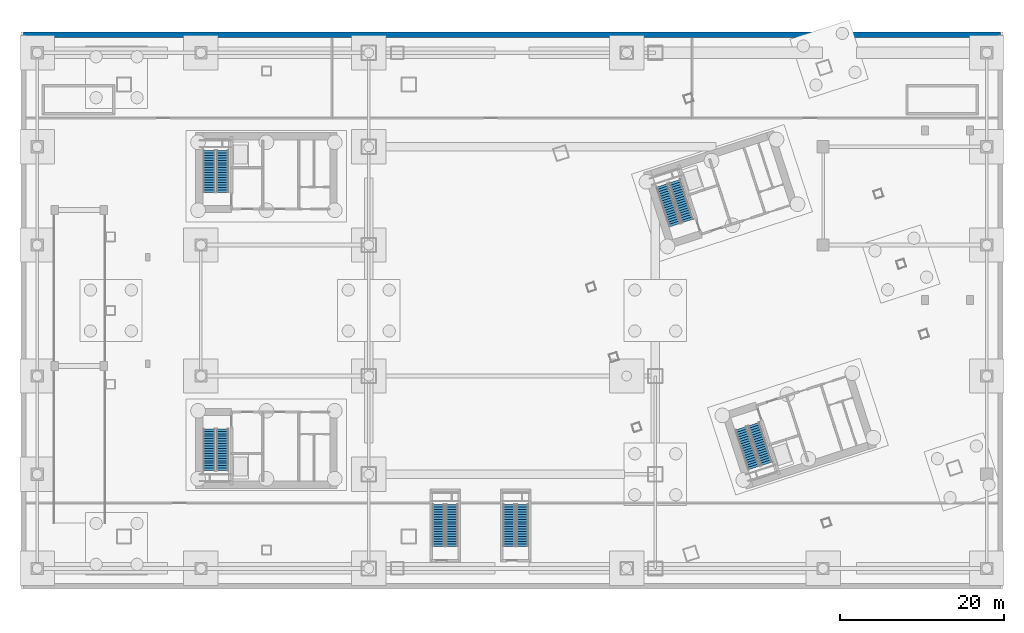
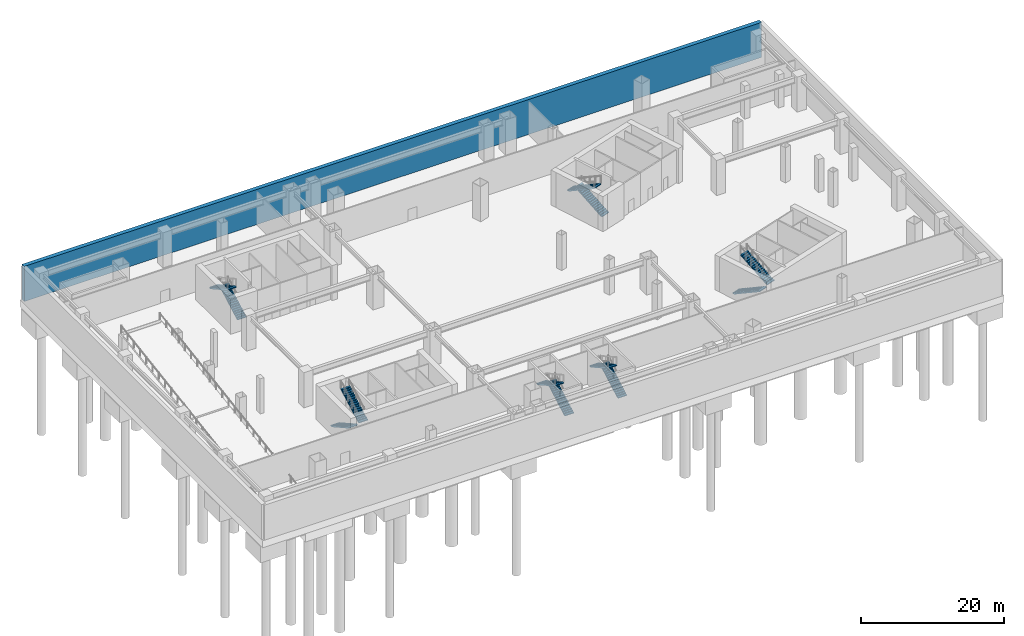
# One storey, part 13 of 20: 12 stair flights, 1 wall, 6 elements without a shape of their own.
"""IFC4 building model written with IfcOpenShell, lengths in metres."""

from ifc_helpers import new_model, si_unit, direction, frame, frame_2d, origin, place, context, subcontext, project, spatial, polyline, rectangle, outline, extrude, material, layer, layer_set, type_object, element, aggregate, save


model = new_model("IFC4")

# Units and contexts
model_context = context("Model", 3, precision=1e-05, world=origin(), true_north=direction((0.0, 1.0)))
body_context = subcontext(model_context, "Body", "Model", "MODEL_VIEW")
ifc_project = project(units=[si_unit("LENGTHUNIT", "METRE"), si_unit("AREAUNIT", "SQUARE_METRE"), si_unit("VOLUMEUNIT", "CUBIC_METRE"), si_unit("PLANEANGLEUNIT", "RADIAN"), si_unit("MASSUNIT", "GRAM", prefix="KILO")], contexts=[model_context])

# Site, building, storey
site_placement = place(None, origin())
site = spatial("IfcSite", under=ifc_project, at=site_placement, CompositionType="ELEMENT")
building_placement = place(site_placement, origin())
building = spatial("IfcBuilding", under=site, at=building_placement, Name="Qiaolan Cultural Towers", CompositionType="ELEMENT")
storey_placement = place(building_placement, frame((0.0, 0.0, -12.0)))
storey = spatial("IfcBuildingStorey", under=building, at=storey_placement, Name="B2", CompositionType="ELEMENT", Elevation=-12.0)

# Wall
ifc_material_1 = material(Name="Concrete C50", Category="concrete")
ifc_layer = layer(ifc_material_1, 0.64990234375)
ifc_layer_set = layer_set([ifc_layer], Name="Concrete C50")
wall_type = type_object("IfcWallType", Name="WL-RET-650", PredefinedType="SHEAR", material=ifc_layer_set)
wall_placement = place(storey_placement, frame((0.324951171875, 67.675048828125, 0.0), z_axis=(0.0, 0.0, 1.0), x_axis=(1.0, 0.0, 0.0)))
element("IfcWall", 1, at=wall_placement, inside=storey, type_object=wall_type, Name="B2 Basement Retaining Wall NORTH", PredefinedType="SHEAR", context=body_context, shape_type="SweptSolid", body=[
    extrude(rectangle(XDim=119.35009765625, YDim=0.64990234375, at=frame_2d((59.675048828125, 0.0))), origin(), (0.0, 0.0, 1.0), 6.0),
])

# Stair, stair flights
ifc_material_2 = material(Name="Concrete C45", Category="concrete")
stair_type_1 = type_object("IfcStairType", Name="STR-CORE-1500", PredefinedType="HALF_TURN_STAIR", material=ifc_material_2)
stair_1_placement = place(storey_placement, origin())
stair_1 = element("IfcStair", 2, at=stair_1_placement, inside=storey, type_object=stair_type_1, Name="B2 Smokeproof Exit Stair ST-W1", PredefinedType="HALF_TURN_STAIR")
ifc_material_3 = material(Name="Concrete C45", Category="concrete")
stair_flight_type_1 = type_object("IfcStairFlightType", Name="STR-CORE-1500-FL", PredefinedType="STRAIGHT", material=ifc_material_3)
stair_flight_1_placement = place(storey_placement, frame((23.02001953125, 19.550048828125, 0.0), z_axis=(0.0, 0.0, 1.0), x_axis=(0.0, -1.0, 0.0)))
stair_flight_1 = element("IfcStairFlight", 3, at=stair_flight_1_placement, type_object=stair_flight_type_1, Name="ST-W1 flight 1", NumberOfRisers=18, NumberOfTreads=17, PredefinedType="STRAIGHT", RiserHeight=0.166666667, TreadLength=0.3, context=body_context, shape_type="SweptSolid", body=[
    extrude(outline(polyline([(0.0, 0.0), (0.0, 0.166748046875), (0.300048828125, 0.166748046875), (0.300048828125, 0.333251953125), (0.60009765625, 0.333251953125), (0.60009765625, 0.5), (0.89990234375, 0.5), (0.89990234375, 0.666748046875), (1.199951171875, 0.666748046875), (1.199951171875, 0.833251953125), (1.5, 0.833251953125), (1.5, 1.0), (1.800048828125, 1.0), (1.800048828125, 1.166748046875), (2.10009765625, 1.166748046875), (2.10009765625, 1.333251953125), (2.39990234375, 1.333251953125), (2.39990234375, 1.5), (2.699951171875, 1.5), (2.699951171875, 1.666748046875), (3.0, 1.666748046875), (3.0, 1.833251953125), (3.300048828125, 1.833251953125), (3.300048828125, 2.0), (3.60009765625, 2.0), (3.60009765625, 2.166748046875), (3.89990234375, 2.166748046875), (3.89990234375, 2.333251953125), (4.199951171875, 2.333251953125), (4.199951171875, 2.5), (4.5, 2.5), (4.5, 2.666748046875), (4.800048828125, 2.666748046875), (4.800048828125, 2.833251953125), (5.10009765625, 2.833251953125), (5.10009765625, 3.0), (5.10009765625, 2.661865234375), (0.30859375, 0.0), (0.0, 0.0)])), frame((0.0, 0.719970703125, 0.0), z_axis=(0.0, -1.0, 0.0), x_axis=(1.0, 0.0, 0.0)), (0.0, 0.0, 1.0), 1.43994140625),
])
stair_flight_2_placement = place(storey_placement, frame((24.659912109375, 14.449951171875, 3.0), z_axis=(0.0, 0.0, 1.0), x_axis=(0.0, 1.0, 0.0)))
stair_flight_2 = element("IfcStairFlight", 4, at=stair_flight_2_placement, type_object=stair_flight_type_1, Name="ST-W1 flight 2", NumberOfRisers=18, NumberOfTreads=17, PredefinedType="STRAIGHT", RiserHeight=0.166666667, TreadLength=0.3, context=body_context, shape_type="SweptSolid", body=[
    extrude(outline(polyline([(0.0, 0.0), (0.0, 0.166748046875), (0.300048828125, 0.166748046875), (0.300048828125, 0.333251953125), (0.60009765625, 0.333251953125), (0.60009765625, 0.5), (0.89990234375, 0.5), (0.89990234375, 0.666748046875), (1.199951171875, 0.666748046875), (1.199951171875, 0.833251953125), (1.5, 0.833251953125), (1.5, 1.0), (1.800048828125, 1.0), (1.800048828125, 1.166748046875), (2.10009765625, 1.166748046875), (2.10009765625, 1.333251953125), (2.39990234375, 1.333251953125), (2.39990234375, 1.5), (2.699951171875, 1.5), (2.699951171875, 1.666748046875), (3.0, 1.666748046875), (3.0, 1.833251953125), (3.300048828125, 1.833251953125), (3.300048828125, 2.0), (3.60009765625, 2.0), (3.60009765625, 2.166748046875), (3.89990234375, 2.166748046875), (3.89990234375, 2.333251953125), (4.199951171875, 2.333251953125), (4.199951171875, 2.5), (4.5, 2.5), (4.5, 2.666748046875), (4.800048828125, 2.666748046875), (4.800048828125, 2.833251953125), (5.10009765625, 2.833251953125), (5.10009765625, 3.0), (5.10009765625, 2.661865234375), (0.30859375, 0.0), (0.0, 0.0)])), frame((0.0, 0.719970703125, 0.0), z_axis=(0.0, -1.0, 0.0), x_axis=(1.0, 0.0, 0.0)), (0.0, 0.0, 1.0), 1.43994140625),
])
aggregate(stair_1, [stair_flight_1, stair_flight_2])

stair_2_placement = place(storey_placement, origin())
stair_2 = element("IfcStair", 5, at=stair_2_placement, inside=storey, type_object=stair_type_1, Name="B2 Smokeproof Exit Stair ST-W2", PredefinedType="HALF_TURN_STAIR")
stair_flight_3_placement = place(storey_placement, frame((24.659912109375, 48.449951171875, 0.0), z_axis=(0.0, 0.0, 1.0), x_axis=(0.0, 1.0, 0.0)))
stair_flight_3 = element("IfcStairFlight", 6, at=stair_flight_3_placement, type_object=stair_flight_type_1, Name="ST-W2 flight 1", NumberOfRisers=18, NumberOfTreads=17, PredefinedType="STRAIGHT", RiserHeight=0.166666667, TreadLength=0.3, context=body_context, shape_type="SweptSolid", body=[
    extrude(outline(polyline([(0.0, 0.0), (0.0, 0.166748046875), (0.300048828125, 0.166748046875), (0.300048828125, 0.333251953125), (0.60009765625, 0.333251953125), (0.60009765625, 0.5), (0.89990234375, 0.5), (0.89990234375, 0.666748046875), (1.199951171875, 0.666748046875), (1.199951171875, 0.833251953125), (1.5, 0.833251953125), (1.5, 1.0), (1.800048828125, 1.0), (1.800048828125, 1.166748046875), (2.10009765625, 1.166748046875), (2.10009765625, 1.333251953125), (2.39990234375, 1.333251953125), (2.39990234375, 1.5), (2.699951171875, 1.5), (2.699951171875, 1.666748046875), (3.0, 1.666748046875), (3.0, 1.833251953125), (3.300048828125, 1.833251953125), (3.300048828125, 2.0), (3.60009765625, 2.0), (3.60009765625, 2.166748046875), (3.89990234375, 2.166748046875), (3.89990234375, 2.333251953125), (4.199951171875, 2.333251953125), (4.199951171875, 2.5), (4.5, 2.5), (4.5, 2.666748046875), (4.800048828125, 2.666748046875), (4.800048828125, 2.833251953125), (5.10009765625, 2.833251953125), (5.10009765625, 3.0), (5.10009765625, 2.661865234375), (0.30859375, 0.0), (0.0, 0.0)])), frame((0.0, 0.719970703125, 0.0), z_axis=(0.0, -1.0, 0.0), x_axis=(1.0, 0.0, 0.0)), (0.0, 0.0, 1.0), 1.43994140625),
])
stair_flight_4_placement = place(storey_placement, frame((23.02001953125, 53.550048828125, 3.0), z_axis=(0.0, 0.0, 1.0), x_axis=(0.0, -1.0, 0.0)))
stair_flight_4 = element("IfcStairFlight", 7, at=stair_flight_4_placement, type_object=stair_flight_type_1, Name="ST-W2 flight 2", NumberOfRisers=18, NumberOfTreads=17, PredefinedType="STRAIGHT", RiserHeight=0.166666667, TreadLength=0.3, context=body_context, shape_type="SweptSolid", body=[
    extrude(outline(polyline([(0.0, 0.0), (0.0, 0.166748046875), (0.300048828125, 0.166748046875), (0.300048828125, 0.333251953125), (0.60009765625, 0.333251953125), (0.60009765625, 0.5), (0.89990234375, 0.5), (0.89990234375, 0.666748046875), (1.199951171875, 0.666748046875), (1.199951171875, 0.833251953125), (1.5, 0.833251953125), (1.5, 1.0), (1.800048828125, 1.0), (1.800048828125, 1.166748046875), (2.10009765625, 1.166748046875), (2.10009765625, 1.333251953125), (2.39990234375, 1.333251953125), (2.39990234375, 1.5), (2.699951171875, 1.5), (2.699951171875, 1.666748046875), (3.0, 1.666748046875), (3.0, 1.833251953125), (3.300048828125, 1.833251953125), (3.300048828125, 2.0), (3.60009765625, 2.0), (3.60009765625, 2.166748046875), (3.89990234375, 2.166748046875), (3.89990234375, 2.333251953125), (4.199951171875, 2.333251953125), (4.199951171875, 2.5), (4.5, 2.5), (4.5, 2.666748046875), (4.800048828125, 2.666748046875), (4.800048828125, 2.833251953125), (5.10009765625, 2.833251953125), (5.10009765625, 3.0), (5.10009765625, 2.661865234375), (0.30859375, 0.0), (0.0, 0.0)])), frame((0.0, 0.719970703125, 0.0), z_axis=(0.0, -1.0, 0.0), x_axis=(1.0, 0.0, 0.0)), (0.0, 0.0, 1.0), 1.43994140625),
])
aggregate(stair_2, [stair_flight_3, stair_flight_4])

stair_3_placement = place(storey_placement, origin())
stair_3 = element("IfcStair", 8, at=stair_3_placement, inside=storey, type_object=stair_type_1, Name="B2 Smokeproof Exit Stair ST-E1", PredefinedType="HALF_TURN_STAIR")
stair_flight_5_placement = place(storey_placement, frame((87.96484375, 19.6171875, 0.0), z_axis=(0.0, 0.0, 1.0), x_axis=(0.309016994375, -0.951056516295, 0.0)))
stair_flight_5 = element("IfcStairFlight", 9, at=stair_flight_5_placement, type_object=stair_flight_type_1, Name="ST-E1 flight 1", NumberOfRisers=18, NumberOfTreads=17, PredefinedType="STRAIGHT", RiserHeight=0.166666667, TreadLength=0.3, context=body_context, shape_type="SweptSolid", body=[
    extrude(outline(polyline([(0.0, 0.0), (0.0, 0.166748046875), (0.300048828125, 0.166748046875), (0.300048828125, 0.333251953125), (0.60009765625, 0.333251953125), (0.60009765625, 0.5), (0.89990234375, 0.5), (0.89990234375, 0.666748046875), (1.199951171875, 0.666748046875), (1.199951171875, 0.833251953125), (1.5, 0.833251953125), (1.5, 1.0), (1.800048828125, 1.0), (1.800048828125, 1.166748046875), (2.10009765625, 1.166748046875), (2.10009765625, 1.333251953125), (2.39990234375, 1.333251953125), (2.39990234375, 1.5), (2.699951171875, 1.5), (2.699951171875, 1.666748046875), (3.0, 1.666748046875), (3.0, 1.833251953125), (3.300048828125, 1.833251953125), (3.300048828125, 2.0), (3.60009765625, 2.0), (3.60009765625, 2.166748046875), (3.89990234375, 2.166748046875), (3.89990234375, 2.333251953125), (4.199951171875, 2.333251953125), (4.199951171875, 2.5), (4.5, 2.5), (4.5, 2.666748046875), (4.800048828125, 2.666748046875), (4.800048828125, 2.833251953125), (5.10009765625, 2.833251953125), (5.10009765625, 3.0), (5.10009765625, 2.661865234375), (0.30859375, 0.0), (0.0, 0.0)])), frame((0.0, 0.719970703125, 0.0), z_axis=(0.0, -1.0, 0.0), x_axis=(1.0, 0.0, 0.0)), (0.0, 0.0, 1.0), 1.43994140625),
])
stair_flight_6_placement = place(storey_placement, frame((91.1005859375, 15.273681640625, 3.0), z_axis=(0.0, 0.0, 1.0), x_axis=(-0.309016994375, 0.951056516295, 0.0)))
stair_flight_6 = element("IfcStairFlight", 10, at=stair_flight_6_placement, type_object=stair_flight_type_1, Name="ST-E1 flight 2", NumberOfRisers=18, NumberOfTreads=17, PredefinedType="STRAIGHT", RiserHeight=0.166666667, TreadLength=0.3, context=body_context, shape_type="SweptSolid", body=[
    extrude(outline(polyline([(0.0, 0.0), (0.0, 0.166748046875), (0.300048828125, 0.166748046875), (0.300048828125, 0.333251953125), (0.60009765625, 0.333251953125), (0.60009765625, 0.5), (0.89990234375, 0.5), (0.89990234375, 0.666748046875), (1.199951171875, 0.666748046875), (1.199951171875, 0.833251953125), (1.5, 0.833251953125), (1.5, 1.0), (1.800048828125, 1.0), (1.800048828125, 1.166748046875), (2.10009765625, 1.166748046875), (2.10009765625, 1.333251953125), (2.39990234375, 1.333251953125), (2.39990234375, 1.5), (2.699951171875, 1.5), (2.699951171875, 1.666748046875), (3.0, 1.666748046875), (3.0, 1.833251953125), (3.300048828125, 1.833251953125), (3.300048828125, 2.0), (3.60009765625, 2.0), (3.60009765625, 2.166748046875), (3.89990234375, 2.166748046875), (3.89990234375, 2.333251953125), (4.199951171875, 2.333251953125), (4.199951171875, 2.5), (4.5, 2.5), (4.5, 2.666748046875), (4.800048828125, 2.666748046875), (4.800048828125, 2.833251953125), (5.10009765625, 2.833251953125), (5.10009765625, 3.0), (5.10009765625, 2.661865234375), (0.30859375, 0.0), (0.0, 0.0)])), frame((0.0, 0.719970703125, 0.0), z_axis=(0.0, -1.0, 0.0), x_axis=(1.0, 0.0, 0.0)), (0.0, 0.0, 1.0), 1.43994140625),
])
aggregate(stair_3, [stair_flight_5, stair_flight_6])

stair_4_placement = place(storey_placement, origin())
stair_4 = element("IfcStair", 11, at=stair_4_placement, inside=storey, type_object=stair_type_1, Name="B2 Smokeproof Exit Stair ST-E2", PredefinedType="HALF_TURN_STAIR")
stair_flight_7_placement = place(storey_placement, frame((81.459228515625, 44.946533203125, 0.0), z_axis=(0.0, 0.0, 1.0), x_axis=(-0.309016994375, 0.951056516295, 0.0)))
stair_flight_7 = element("IfcStairFlight", 12, at=stair_flight_7_placement, type_object=stair_flight_type_1, Name="ST-E2 flight 1", NumberOfRisers=18, NumberOfTreads=17, PredefinedType="STRAIGHT", RiserHeight=0.166666667, TreadLength=0.3, context=body_context, shape_type="SweptSolid", body=[
    extrude(outline(polyline([(0.0, 0.0), (0.0, 0.166748046875), (0.300048828125, 0.166748046875), (0.300048828125, 0.333251953125), (0.60009765625, 0.333251953125), (0.60009765625, 0.5), (0.89990234375, 0.5), (0.89990234375, 0.666748046875), (1.199951171875, 0.666748046875), (1.199951171875, 0.833251953125), (1.5, 0.833251953125), (1.5, 1.0), (1.800048828125, 1.0), (1.800048828125, 1.166748046875), (2.10009765625, 1.166748046875), (2.10009765625, 1.333251953125), (2.39990234375, 1.333251953125), (2.39990234375, 1.5), (2.699951171875, 1.5), (2.699951171875, 1.666748046875), (3.0, 1.666748046875), (3.0, 1.833251953125), (3.300048828125, 1.833251953125), (3.300048828125, 2.0), (3.60009765625, 2.0), (3.60009765625, 2.166748046875), (3.89990234375, 2.166748046875), (3.89990234375, 2.333251953125), (4.199951171875, 2.333251953125), (4.199951171875, 2.5), (4.5, 2.5), (4.5, 2.666748046875), (4.800048828125, 2.666748046875), (4.800048828125, 2.833251953125), (5.10009765625, 2.833251953125), (5.10009765625, 3.0), (5.10009765625, 2.661865234375), (0.30859375, 0.0), (0.0, 0.0)])), frame((0.0, 0.719970703125, 0.0), z_axis=(0.0, -1.0, 0.0), x_axis=(1.0, 0.0, 0.0)), (0.0, 0.0, 1.0), 1.43994140625),
])
stair_flight_8_placement = place(storey_placement, frame((78.323486328125, 49.2900390625, 3.0), z_axis=(0.0, 0.0, 1.0), x_axis=(0.309016994375, -0.951056516295, 0.0)))
stair_flight_8 = element("IfcStairFlight", 13, at=stair_flight_8_placement, type_object=stair_flight_type_1, Name="ST-E2 flight 2", NumberOfRisers=18, NumberOfTreads=17, PredefinedType="STRAIGHT", RiserHeight=0.166666667, TreadLength=0.3, context=body_context, shape_type="SweptSolid", body=[
    extrude(outline(polyline([(0.0, 0.0), (0.0, 0.166748046875), (0.300048828125, 0.166748046875), (0.300048828125, 0.333251953125), (0.60009765625, 0.333251953125), (0.60009765625, 0.5), (0.89990234375, 0.5), (0.89990234375, 0.666748046875), (1.199951171875, 0.666748046875), (1.199951171875, 0.833251953125), (1.5, 0.833251953125), (1.5, 1.0), (1.800048828125, 1.0), (1.800048828125, 1.166748046875), (2.10009765625, 1.166748046875), (2.10009765625, 1.333251953125), (2.39990234375, 1.333251953125), (2.39990234375, 1.5), (2.699951171875, 1.5), (2.699951171875, 1.666748046875), (3.0, 1.666748046875), (3.0, 1.833251953125), (3.300048828125, 1.833251953125), (3.300048828125, 2.0), (3.60009765625, 2.0), (3.60009765625, 2.166748046875), (3.89990234375, 2.166748046875), (3.89990234375, 2.333251953125), (4.199951171875, 2.333251953125), (4.199951171875, 2.5), (4.5, 2.5), (4.5, 2.666748046875), (4.800048828125, 2.666748046875), (4.800048828125, 2.833251953125), (5.10009765625, 2.833251953125), (5.10009765625, 3.0), (5.10009765625, 2.661865234375), (0.30859375, 0.0), (0.0, 0.0)])), frame((0.0, 0.719970703125, 0.0), z_axis=(0.0, -1.0, 0.0), x_axis=(1.0, 0.0, 0.0)), (0.0, 0.0, 1.0), 1.43994140625),
])
aggregate(stair_4, [stair_flight_7, stair_flight_8])

ifc_material_4 = material(Name="Concrete C45", Category="concrete")
stair_type_2 = type_object("IfcStairType", Name="STR-MET-1800", PredefinedType="HALF_TURN_STAIR", material=ifc_material_4)
stair_5_placement = place(storey_placement, origin())
stair_5 = element("IfcStair", 14, at=stair_5_placement, inside=storey, type_object=stair_type_2, Name="B2 Metro Concourse West Exit Stair ST-M1", PredefinedType="HALF_TURN_STAIR")
ifc_material_5 = material(Name="Concrete C45", Category="concrete")
stair_flight_type_2 = type_object("IfcStairFlightType", Name="STR-MET-1800-FL", PredefinedType="STRAIGHT", material=ifc_material_5)
stair_flight_9_placement = place(storey_placement, frame((52.675048828125, 5.199951171875, 0.0), z_axis=(0.0, 0.0, 1.0), x_axis=(0.0, 1.0, 0.0)))
stair_flight_9 = element("IfcStairFlight", 15, at=stair_flight_9_placement, type_object=stair_flight_type_2, Name="ST-M1 flight 1", NumberOfRisers=18, NumberOfTreads=17, PredefinedType="STRAIGHT", RiserHeight=0.166666667, TreadLength=0.3, context=body_context, shape_type="SweptSolid", body=[
    extrude(outline(polyline([(0.0, 0.0), (0.0, 0.166748046875), (0.300048828125, 0.166748046875), (0.300048828125, 0.333251953125), (0.60009765625, 0.333251953125), (0.60009765625, 0.5), (0.89990234375, 0.5), (0.89990234375, 0.666748046875), (1.199951171875, 0.666748046875), (1.199951171875, 0.833251953125), (1.5, 0.833251953125), (1.5, 1.0), (1.800048828125, 1.0), (1.800048828125, 1.166748046875), (2.10009765625, 1.166748046875), (2.10009765625, 1.333251953125), (2.39990234375, 1.333251953125), (2.39990234375, 1.5), (2.699951171875, 1.5), (2.699951171875, 1.666748046875), (3.0, 1.666748046875), (3.0, 1.833251953125), (3.300048828125, 1.833251953125), (3.300048828125, 2.0), (3.60009765625, 2.0), (3.60009765625, 2.166748046875), (3.89990234375, 2.166748046875), (3.89990234375, 2.333251953125), (4.199951171875, 2.333251953125), (4.199951171875, 2.5), (4.5, 2.5), (4.5, 2.666748046875), (4.800048828125, 2.666748046875), (4.800048828125, 2.833251953125), (5.10009765625, 2.833251953125), (5.10009765625, 3.0), (5.10009765625, 2.661865234375), (0.30859375, 0.0), (0.0, 0.0)])), frame((0.0, 0.72509765625, 0.0), z_axis=(0.0, -1.0, 0.0), x_axis=(1.0, 0.0, 0.0)), (0.0, 0.0, 1.0), 1.449951171875),
])
stair_flight_10_placement = place(storey_placement, frame((51.02490234375, 10.300048828125, 3.0), z_axis=(0.0, 0.0, 1.0), x_axis=(0.0, -1.0, 0.0)))
stair_flight_10 = element("IfcStairFlight", 16, at=stair_flight_10_placement, type_object=stair_flight_type_2, Name="ST-M1 flight 2", NumberOfRisers=18, NumberOfTreads=17, PredefinedType="STRAIGHT", RiserHeight=0.166666667, TreadLength=0.3, context=body_context, shape_type="SweptSolid", body=[
    extrude(outline(polyline([(0.0, 0.0), (0.0, 0.166748046875), (0.300048828125, 0.166748046875), (0.300048828125, 0.333251953125), (0.60009765625, 0.333251953125), (0.60009765625, 0.5), (0.89990234375, 0.5), (0.89990234375, 0.666748046875), (1.199951171875, 0.666748046875), (1.199951171875, 0.833251953125), (1.5, 0.833251953125), (1.5, 1.0), (1.800048828125, 1.0), (1.800048828125, 1.166748046875), (2.10009765625, 1.166748046875), (2.10009765625, 1.333251953125), (2.39990234375, 1.333251953125), (2.39990234375, 1.5), (2.699951171875, 1.5), (2.699951171875, 1.666748046875), (3.0, 1.666748046875), (3.0, 1.833251953125), (3.300048828125, 1.833251953125), (3.300048828125, 2.0), (3.60009765625, 2.0), (3.60009765625, 2.166748046875), (3.89990234375, 2.166748046875), (3.89990234375, 2.333251953125), (4.199951171875, 2.333251953125), (4.199951171875, 2.5), (4.5, 2.5), (4.5, 2.666748046875), (4.800048828125, 2.666748046875), (4.800048828125, 2.833251953125), (5.10009765625, 2.833251953125), (5.10009765625, 3.0), (5.10009765625, 2.661865234375), (0.30859375, 0.0), (0.0, 0.0)])), frame((0.0, 0.72509765625, 0.0), z_axis=(0.0, -1.0, 0.0), x_axis=(1.0, 0.0, 0.0)), (0.0, 0.0, 1.0), 1.449951171875),
])
aggregate(stair_5, [stair_flight_9, stair_flight_10])

stair_6_placement = place(storey_placement, origin())
stair_6 = element("IfcStair", 17, at=stair_6_placement, inside=storey, type_object=stair_type_2, Name="B2 Metro Concourse East Exit Stair ST-M2", PredefinedType="HALF_TURN_STAIR")
stair_flight_11_placement = place(storey_placement, frame((61.27490234375, 5.199951171875, 0.0), z_axis=(0.0, 0.0, 1.0), x_axis=(0.0, 1.0, 0.0)))
stair_flight_11 = element("IfcStairFlight", 18, at=stair_flight_11_placement, type_object=stair_flight_type_2, Name="ST-M2 flight 1", NumberOfRisers=18, NumberOfTreads=17, PredefinedType="STRAIGHT", RiserHeight=0.166666667, TreadLength=0.3, context=body_context, shape_type="SweptSolid", body=[
    extrude(outline(polyline([(0.0, 0.0), (0.0, 0.166748046875), (0.300048828125, 0.166748046875), (0.300048828125, 0.333251953125), (0.60009765625, 0.333251953125), (0.60009765625, 0.5), (0.89990234375, 0.5), (0.89990234375, 0.666748046875), (1.199951171875, 0.666748046875), (1.199951171875, 0.833251953125), (1.5, 0.833251953125), (1.5, 1.0), (1.800048828125, 1.0), (1.800048828125, 1.166748046875), (2.10009765625, 1.166748046875), (2.10009765625, 1.333251953125), (2.39990234375, 1.333251953125), (2.39990234375, 1.5), (2.699951171875, 1.5), (2.699951171875, 1.666748046875), (3.0, 1.666748046875), (3.0, 1.833251953125), (3.300048828125, 1.833251953125), (3.300048828125, 2.0), (3.60009765625, 2.0), (3.60009765625, 2.166748046875), (3.89990234375, 2.166748046875), (3.89990234375, 2.333251953125), (4.199951171875, 2.333251953125), (4.199951171875, 2.5), (4.5, 2.5), (4.5, 2.666748046875), (4.800048828125, 2.666748046875), (4.800048828125, 2.833251953125), (5.10009765625, 2.833251953125), (5.10009765625, 3.0), (5.10009765625, 2.661865234375), (0.30859375, 0.0), (0.0, 0.0)])), frame((0.0, 0.72509765625, 0.0), z_axis=(0.0, -1.0, 0.0), x_axis=(1.0, 0.0, 0.0)), (0.0, 0.0, 1.0), 1.449951171875),
])
stair_flight_12_placement = place(storey_placement, frame((59.625, 10.300048828125, 3.0), z_axis=(0.0, 0.0, 1.0), x_axis=(0.0, -1.0, 0.0)))
stair_flight_12 = element("IfcStairFlight", 19, at=stair_flight_12_placement, type_object=stair_flight_type_2, Name="ST-M2 flight 2", NumberOfRisers=18, NumberOfTreads=17, PredefinedType="STRAIGHT", RiserHeight=0.166666667, TreadLength=0.3, context=body_context, shape_type="SweptSolid", body=[
    extrude(outline(polyline([(0.0, 0.0), (0.0, 0.166748046875), (0.300048828125, 0.166748046875), (0.300048828125, 0.333251953125), (0.60009765625, 0.333251953125), (0.60009765625, 0.5), (0.89990234375, 0.5), (0.89990234375, 0.666748046875), (1.199951171875, 0.666748046875), (1.199951171875, 0.833251953125), (1.5, 0.833251953125), (1.5, 1.0), (1.800048828125, 1.0), (1.800048828125, 1.166748046875), (2.10009765625, 1.166748046875), (2.10009765625, 1.333251953125), (2.39990234375, 1.333251953125), (2.39990234375, 1.5), (2.699951171875, 1.5), (2.699951171875, 1.666748046875), (3.0, 1.666748046875), (3.0, 1.833251953125), (3.300048828125, 1.833251953125), (3.300048828125, 2.0), (3.60009765625, 2.0), (3.60009765625, 2.166748046875), (3.89990234375, 2.166748046875), (3.89990234375, 2.333251953125), (4.199951171875, 2.333251953125), (4.199951171875, 2.5), (4.5, 2.5), (4.5, 2.666748046875), (4.800048828125, 2.666748046875), (4.800048828125, 2.833251953125), (5.10009765625, 2.833251953125), (5.10009765625, 3.0), (5.10009765625, 2.661865234375), (0.30859375, 0.0), (0.0, 0.0)])), frame((0.0, 0.72509765625, 0.0), z_axis=(0.0, -1.0, 0.0), x_axis=(1.0, 0.0, 0.0)), (0.0, 0.0, 1.0), 1.449951171875),
])
aggregate(stair_6, [stair_flight_11, stair_flight_12])

save(model, "model.ifc")
